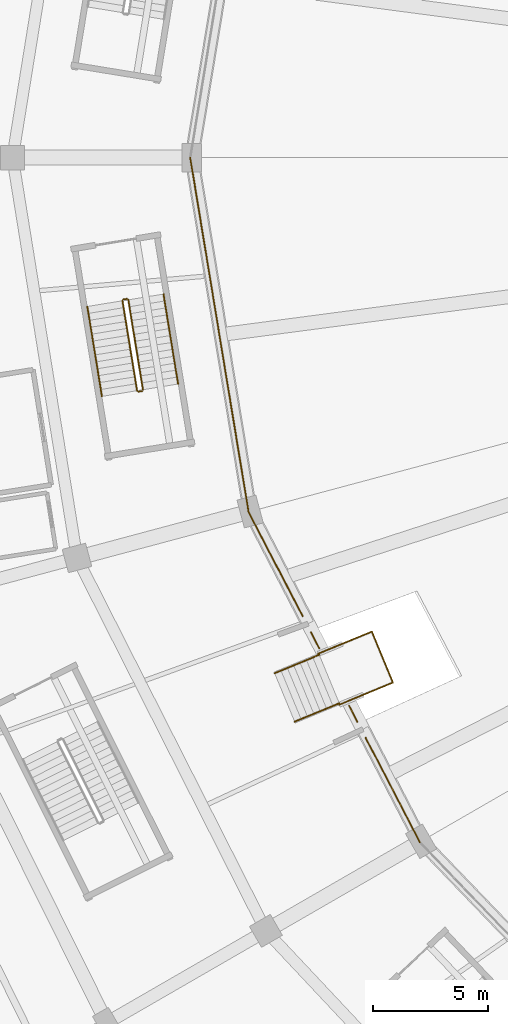
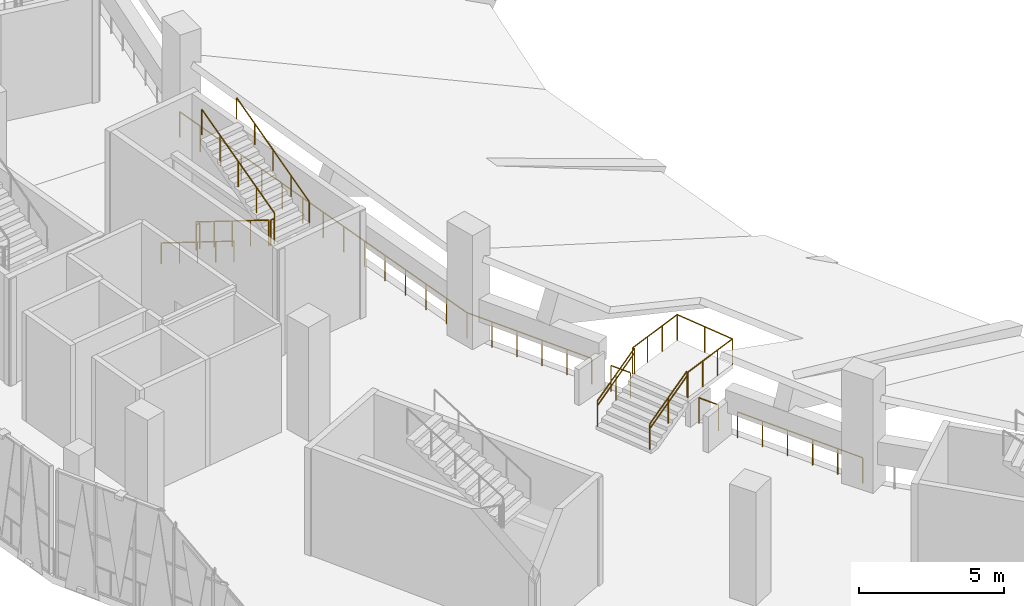
# One storey, part 138 of 183: 18 railings.
"""IFC4 building model written with IfcOpenShell, lengths in metres."""

from ifc_helpers import new_model, si_unit, direction, frame, origin, origin_2d, place, context, subcontext, project, spatial, circle, extrude, material, type_object, element, save


model = new_model("IFC4")

# Units and contexts
model_context = context("Model", 3, precision=1e-05, world=origin(), true_north=direction((0.0, 1.0)))
body_context = subcontext(model_context, "Body", "Model", "MODEL_VIEW")
ifc_project = project(units=[si_unit("LENGTHUNIT", "METRE"), si_unit("AREAUNIT", "SQUARE_METRE"), si_unit("VOLUMEUNIT", "CUBIC_METRE"), si_unit("PLANEANGLEUNIT", "RADIAN"), si_unit("MASSUNIT", "GRAM", prefix="KILO")], contexts=[model_context])

# Site, building, storey
site_placement = place(None, origin())
site = spatial("IfcSite", under=ifc_project, at=site_placement, CompositionType="ELEMENT")
building_placement = place(site_placement, origin())
building = spatial("IfcBuilding", under=site, at=building_placement, Name="Zevraka Park Crest Stadium", CompositionType="ELEMENT")
storey_placement = place(building_placement, frame((0.0, 0.0, 5.39990234375)))
storey = spatial("IfcBuildingStorey", under=building, at=storey_placement, Name="L01", CompositionType="ELEMENT", Elevation=5.39990234375)

# Railings
ifc_material_1 = material(Name="Galvanised and bronze-finished steel balustrade", Category="steel")
railing_type_1 = type_object("IfcRailingType", Name="GR01", PredefinedType="GUARDRAIL", material=ifc_material_1)
railing_1_placement = place(storey_placement, frame((37.430908203125, 92.0029296875, 0.0)))
element("IfcRailing", 1, at=railing_1_placement, inside=storey, type_object=railing_type_1, Name="Deck Edge Protection Guardrail GR01 L01-100", PredefinedType="GUARDRAIL", context=body_context, shape_type="SweptSolid", body=[
    extrude(circle(Radius=0.02392578125, at=origin_2d()), frame((0.0, 0.0, 1.076171875), z_axis=(0.162523419979, -0.986704686296, 0.0), x_axis=(0.986704686296, 0.162523419979, 0.0)), (0.0, 0.0, 1.0), 15.622802734375),
    extrude(circle(Radius=0.02099609375, at=origin_2d()), origin(), (0.0, 0.0, 1.0), 1.052001953125),
    extrude(circle(Radius=0.02099609375, at=origin_2d()), frame((0.181396484375, -1.10107421875, 0.0)), (0.0, 0.0, 1.0), 1.052001953125),
    extrude(circle(Radius=0.02099609375, at=origin_2d()), frame((0.36279296875, -2.2021484375, 0.0)), (0.0, 0.0, 1.0), 1.052001953125),
    extrude(circle(Radius=0.02099609375, at=origin_2d()), frame((0.544189453125, -3.30322265625, 0.0)), (0.0, 0.0, 1.0), 1.052001953125),
    extrude(circle(Radius=0.02099609375, at=origin_2d()), frame((0.725341796875, -4.404296875, 0.0)), (0.0, 0.0, 1.0), 1.052001953125),
    extrude(circle(Radius=0.02099609375, at=origin_2d()), frame((0.90673828125, -5.50537109375, 0.0)), (0.0, 0.0, 1.0), 1.052001953125),
    extrude(circle(Radius=0.02099609375, at=origin_2d()), frame((1.088134765625, -6.6064453125, 0.0)), (0.0, 0.0, 1.0), 1.052001953125),
    extrude(circle(Radius=0.02099609375, at=origin_2d()), frame((1.26953125, -7.70751953125, 0.0)), (0.0, 0.0, 1.0), 1.052001953125),
    extrude(circle(Radius=0.02099609375, at=origin_2d()), frame((1.450927734375, -8.80859375, 0.0)), (0.0, 0.0, 1.0), 1.052001953125),
    extrude(circle(Radius=0.02099609375, at=origin_2d()), frame((1.63232421875, -9.90966796875, 0.0)), (0.0, 0.0, 1.0), 1.052001953125),
    extrude(circle(Radius=0.02099609375, at=origin_2d()), frame((1.813720703125, -11.0107421875, 0.0)), (0.0, 0.0, 1.0), 1.052001953125),
    extrude(circle(Radius=0.02099609375, at=origin_2d()), frame((1.994873046875, -12.11181640625, 0.0)), (0.0, 0.0, 1.0), 1.052001953125),
    extrude(circle(Radius=0.02099609375, at=origin_2d()), frame((2.17626953125, -13.212890625, 0.0)), (0.0, 0.0, 1.0), 1.052001953125),
    extrude(circle(Radius=0.02099609375, at=origin_2d()), frame((2.357666015625, -14.31396484375, 0.0)), (0.0, 0.0, 1.0), 1.052001953125),
    extrude(circle(Radius=0.02099609375, at=origin_2d()), frame((2.5390625, -15.4150390625, 0.0)), (0.0, 0.0, 1.0), 1.052001953125),
])
railing_2_placement = place(storey_placement, frame((39.969970703125, 76.587890625, 0.0)))
element("IfcRailing", 2, at=railing_2_placement, inside=storey, type_object=railing_type_1, Name="Deck Edge Protection Guardrail GR01 L01-101", PredefinedType="GUARDRAIL", context=body_context, shape_type="SweptSolid", body=[
    extrude(circle(Radius=0.02392578125, at=origin_2d()), frame((0.0, 0.0, 1.076171875), z_axis=(0.459846182359, -0.887998585905, 0.0), x_axis=(0.887998585905, 0.459846182359, 0.0)), (0.0, 0.0, 1.0), 5.11474609375),
    extrude(circle(Radius=0.02099609375, at=origin_2d()), origin(), (0.0, 0.0, 1.0), 1.052001953125),
    extrude(circle(Radius=0.02099609375, at=origin_2d()), frame((0.470458984375, -0.908447265625, 0.0)), (0.0, 0.0, 1.0), 1.052001953125),
    extrude(circle(Radius=0.02099609375, at=origin_2d()), frame((0.94091796875, -1.81689453125, 0.0)), (0.0, 0.0, 1.0), 1.052001953125),
    extrude(circle(Radius=0.02099609375, at=origin_2d()), frame((1.4111328125, -2.72509765625, 0.0)), (0.0, 0.0, 1.0), 1.052001953125),
    extrude(circle(Radius=0.02099609375, at=origin_2d()), frame((1.881591796875, -3.633544921875, 0.0)), (0.0, 0.0, 1.0), 1.052001953125),
    extrude(circle(Radius=0.02099609375, at=origin_2d()), frame((2.35205078125, -4.5419921875, 0.0)), (0.0, 0.0, 1.0), 1.052001953125),
])
railing_3_placement = place(storey_placement, frame((42.68408203125, 71.347900390625, 0.0)))
element("IfcRailing", 3, at=railing_3_placement, inside=storey, type_object=railing_type_1, Name="Deck Edge Protection Guardrail GR01 L01-102", PredefinedType="GUARDRAIL", context=body_context, shape_type="SweptSolid", body=[
    extrude(circle(Radius=0.02392578125, at=origin_2d()), frame((0.0, 0.0, 1.076171875), z_axis=(0.460380253087, -0.88772181598, 0.0), x_axis=(0.88772181598, 0.460380253087, 0.0)), (0.0, 0.0, 1.0), 0.790771484375),
    extrude(circle(Radius=0.02099609375, at=origin_2d()), origin(), (0.0, 0.0, 1.0), 1.052001953125),
    extrude(circle(Radius=0.02099609375, at=origin_2d()), frame((0.364013671875, -0.701904296875, 0.0)), (0.0, 0.0, 1.0), 1.052001953125),
])
railing_4_placement = place(storey_placement, frame((44.342041015625, 68.15087890625, 0.0)))
element("IfcRailing", 4, at=railing_4_placement, inside=storey, type_object=railing_type_1, Name="Deck Edge Protection Guardrail GR01 L01-103", PredefinedType="GUARDRAIL", context=body_context, shape_type="SweptSolid", body=[
    extrude(circle(Radius=0.02392578125, at=origin_2d()), frame((0.0, 0.0, 1.076171875), z_axis=(0.46081061424, -0.887498494536, 0.0), x_axis=(0.887498494536, 0.46081061424, 0.0)), (0.0, 0.0, 1.0), 0.794189453125),
    extrude(circle(Radius=0.02099609375, at=origin_2d()), origin(), (0.0, 0.0, 1.0), 1.052001953125),
    extrude(circle(Radius=0.02099609375, at=origin_2d()), frame((0.365966796875, -0.704833984375, 0.0)), (0.0, 0.0, 1.0), 1.052001953125),
])
railing_5_placement = place(storey_placement, frame((45.06689453125, 66.7529296875, 0.0)))
element("IfcRailing", 5, at=railing_5_placement, inside=storey, type_object=railing_type_1, Name="Deck Edge Protection Guardrail GR01 L01-104", PredefinedType="GUARDRAIL", context=body_context, shape_type="SweptSolid", body=[
    extrude(circle(Radius=0.02392578125, at=origin_2d()), frame((0.0, 0.0, 1.076171875), z_axis=(0.460815991799, -0.887495702357, 0.0), x_axis=(0.887495702357, 0.460815991799, 0.0)), (0.0, 0.0, 1.0), 5.1279296875),
    extrude(circle(Radius=0.02099609375, at=origin_2d()), origin(), (0.0, 0.0, 1.0), 1.052001953125),
    extrude(circle(Radius=0.02099609375, at=origin_2d()), frame((0.47265625, -0.91015625, 0.0)), (0.0, 0.0, 1.0), 1.052001953125),
    extrude(circle(Radius=0.02099609375, at=origin_2d()), frame((0.9453125, -1.8203125, 0.0)), (0.0, 0.0, 1.0), 1.052001953125),
    extrude(circle(Radius=0.02099609375, at=origin_2d()), frame((1.417724609375, -2.730712890625, 0.0)), (0.0, 0.0, 1.0), 1.052001953125),
    extrude(circle(Radius=0.02099609375, at=origin_2d()), frame((1.890380859375, -3.640869140625, 0.0)), (0.0, 0.0, 1.0), 1.052001953125),
    extrude(circle(Radius=0.02099609375, at=origin_2d()), frame((2.363037109375, -4.551025390625, 0.0)), (0.0, 0.0, 1.0), 1.052001953125),
])
ifc_material_2 = material(Name="Powder-coated tubular steel stairwell guard", Category="steel")
railing_type_2 = type_object("IfcRailingType", Name="GR03", PredefinedType="GUARDRAIL", material=ifc_material_2)
railing_6_placement = place(storey_placement, frame((34.48193359375, 85.77294921875, 0.171630859375)))
element("IfcRailing", 6, at=railing_6_placement, inside=storey, type_object=railing_type_2, Name="L01 ST39 stair guard 1", PredefinedType="GUARDRAIL", context=body_context, shape_type="SweptSolid", body=[
    extrude(circle(Radius=0.02392578125, at=origin_2d()), frame((0.0, 0.0, 1.076171875), z_axis=(0.140099761866, -0.860405778907, 0.489973420043), x_axis=(0.987001137569, 0.160713267768, 0.0)), (0.0, 0.0, 1.0), 4.54833984375),
    extrude(circle(Radius=0.02099609375, at=origin_2d()), origin(), (0.0, 0.0, 1.0), 1.052001953125),
    extrude(circle(Radius=0.02099609375, at=origin_2d()), frame((0.1591796875, -0.978271484375, 0.55712890625)), (0.0, 0.0, 1.0), 1.052001953125),
    extrude(circle(Radius=0.02099609375, at=origin_2d()), frame((0.318603515625, -1.95654296875, 1.1142578125)), (0.0, 0.0, 1.0), 1.052001953125),
    extrude(circle(Radius=0.02099609375, at=origin_2d()), frame((0.47802734375, -2.93505859375, 1.67138671875)), (0.0, 0.0, 1.0), 1.052001953125),
    extrude(circle(Radius=0.02099609375, at=origin_2d()), frame((0.63720703125, -3.913330078125, 2.228515625)), (0.0, 0.0, 1.0), 1.052001953125),
])
railing_7_placement = place(storey_placement, frame((35.176513671875, 81.818115234375, 2.400146484375)))
element("IfcRailing", 7, at=railing_7_placement, inside=storey, type_object=railing_type_2, Name="L01 ST39 stair guard 2", PredefinedType="GUARDRAIL", context=body_context, shape_type="SweptSolid", body=[
    extrude(circle(Radius=0.02392578125, at=origin_2d()), frame((0.0, 0.0, 1.076171875), z_axis=(0.986843627435, 0.161677626751, 0.0), x_axis=(-0.161677626751, 0.986843627435, 0.0)), (0.0, 0.0, 1.0), 0.16015625),
    extrude(circle(Radius=0.02099609375, at=origin_2d()), origin(), (0.0, 0.0, 1.0), 1.052001953125),
    extrude(circle(Radius=0.02099609375, at=origin_2d()), frame((0.157958984375, 0.02587890625, 0.0)), (0.0, 0.0, 1.0), 1.052001953125),
])
railing_8_placement = place(storey_placement, frame((35.375732421875, 81.9013671875, 2.571533203125)))
element("IfcRailing", 8, at=railing_8_placement, inside=storey, type_object=railing_type_2, Name="L01 ST39 stair guard 3", PredefinedType="GUARDRAIL", context=body_context, shape_type="SweptSolid", body=[
    extrude(circle(Radius=0.02392578125, at=origin_2d()), frame((0.0, 0.0, 1.076171875), z_axis=(-0.140099761866, 0.860405778907, 0.489973420043), x_axis=(-0.987001137569, -0.160713267768, 0.0)), (0.0, 0.0, 1.0), 4.54833984375),
    extrude(circle(Radius=0.02099609375, at=origin_2d()), origin(), (0.0, 0.0, 1.0), 1.052001953125),
    extrude(circle(Radius=0.02099609375, at=origin_2d()), frame((-0.1591796875, 0.978271484375, 0.55712890625)), (0.0, 0.0, 1.0), 1.052001953125),
    extrude(circle(Radius=0.02099609375, at=origin_2d()), frame((-0.318603515625, 1.95654296875, 1.1142578125)), (0.0, 0.0, 1.0), 1.052001953125),
    extrude(circle(Radius=0.02099609375, at=origin_2d()), frame((-0.47802734375, 2.93505859375, 1.67138671875)), (0.0, 0.0, 1.0), 1.052001953125),
    extrude(circle(Radius=0.02099609375, at=origin_2d()), frame((-0.63720703125, 3.913330078125, 2.228515625)), (0.0, 0.0, 1.0), 1.052001953125),
])
railing_9_placement = place(storey_placement, frame((34.523193359375, 85.830322265625, 0.0)))
element("IfcRailing", 9, at=railing_9_placement, inside=storey, type_object=railing_type_2, Name="L01 ST39 stair guard 4", PredefinedType="GUARDRAIL", context=body_context, shape_type="SweptSolid", body=[
    extrude(circle(Radius=0.02392578125, at=origin_2d()), frame((0.0, 0.0, 1.076171875), z_axis=(0.987085924886, 0.160191687964, 0.0), x_axis=(-0.160191687964, 0.987085924886, 0.0)), (0.0, 0.0, 1.0), 0.159912109375),
    extrude(circle(Radius=0.02099609375, at=origin_2d()), origin(), (0.0, 0.0, 1.0), 1.052001953125),
    extrude(circle(Radius=0.02099609375, at=origin_2d()), frame((0.157958984375, 0.025634765625, 0.0)), (0.0, 0.0, 1.0), 1.052001953125),
])
railing_10_placement = place(storey_placement, frame((41.97900390625, 67.4541015625, 0.150146484375)))
element("IfcRailing", 10, at=railing_10_placement, inside=storey, type_object=railing_type_2, Name="Vomitory Flight Guard VS-05-1", PredefinedType="GUARDRAIL", context=body_context, shape_type="SweptSolid", body=[
    extrude(circle(Radius=0.02392578125, at=origin_2d()), frame((0.0, 0.0, 1.076171875), z_axis=(0.826386606837, 0.342057079019, 0.447305411025), x_axis=(-0.382451072807, 0.923975744762, 0.0)), (0.0, 0.0, 1.0), 2.347412109375),
    extrude(circle(Radius=0.02099609375, at=origin_2d()), origin(), (0.0, 0.0, 1.0), 1.052001953125),
    extrude(circle(Radius=0.02099609375, at=origin_2d()), frame((0.969970703125, 0.4013671875, 0.52490234375)), (0.0, 0.0, 1.0), 1.052001953125),
    extrude(circle(Radius=0.02099609375, at=origin_2d()), frame((1.93994140625, 0.802978515625, 1.050048828125)), (0.0, 0.0, 1.0), 1.052001953125),
])
railing_11_placement = place(storey_placement, frame((41.10693359375, 69.56005859375, 0.150146484375)))
element("IfcRailing", 11, at=railing_11_placement, inside=storey, type_object=railing_type_2, Name="Vomitory Flight Guard VS-05-2", PredefinedType="GUARDRAIL", context=body_context, shape_type="SweptSolid", body=[
    extrude(circle(Radius=0.02392578125, at=origin_2d()), frame((0.0, 0.0, 1.076171875), z_axis=(0.826301957019, 0.342394909332, 0.447203311582), x_axis=(-0.382806945527, 0.923828362011, 0.0)), (0.0, 0.0, 1.0), 2.34814453125),
    extrude(circle(Radius=0.02099609375, at=origin_2d()), origin(), (0.0, 0.0, 1.0), 1.052001953125),
    extrude(circle(Radius=0.02099609375, at=origin_2d()), frame((0.97021484375, 0.40185546875, 0.52490234375)), (0.0, 0.0, 1.0), 1.052001953125),
    extrude(circle(Radius=0.02099609375, at=origin_2d()), frame((1.940185546875, 0.803955078125, 1.050048828125)), (0.0, 0.0, 1.0), 1.052001953125),
])
railing_12_placement = place(storey_placement, frame((43.9189453125, 68.19189453125, 1.2001953125)))
element("IfcRailing", 12, at=railing_12_placement, inside=storey, type_object=railing_type_2, Name="Vomitory Landing Guard VS-05-1", PredefinedType="GUARDRAIL", context=body_context, shape_type="SweptSolid", body=[
    extrude(circle(Radius=0.02392578125, at=origin_2d()), frame((0.0, 0.0, 1.076171875), z_axis=(0.923784652769, 0.382912412057, 0.0), x_axis=(-0.382912412057, 0.923784652769, 0.0)), (0.0, 0.0, 1.0), 2.525390625),
    extrude(circle(Radius=0.02099609375, at=origin_2d()), origin(), (0.0, 0.0, 1.0), 1.052001953125),
    extrude(circle(Radius=0.02099609375, at=origin_2d()), frame((0.777587890625, 0.322265625, 0.0)), (0.0, 0.0, 1.0), 1.052001953125),
    extrude(circle(Radius=0.02099609375, at=origin_2d()), frame((1.555419921875, 0.644775390625, 0.0)), (0.0, 0.0, 1.0), 1.052001953125),
    extrude(circle(Radius=0.02099609375, at=origin_2d()), frame((2.3330078125, 0.967041015625, 0.0)), (0.0, 0.0, 1.0), 1.052001953125),
])
railing_13_placement = place(storey_placement, frame((46.251953125, 69.158935546875, 1.2001953125)))
element("IfcRailing", 13, at=railing_13_placement, inside=storey, type_object=railing_type_2, Name="Vomitory Landing Guard VS-05-2", PredefinedType="GUARDRAIL", context=body_context, shape_type="SweptSolid", body=[
    extrude(circle(Radius=0.02392578125, at=origin_2d()), frame((0.0, 0.0, 1.076171875), z_axis=(-0.382555476978, 0.923932522988, 0.0), x_axis=(-0.923932522988, -0.382555476978, 0.0)), (0.0, 0.0, 1.0), 2.399658203125),
    extrude(circle(Radius=0.02099609375, at=origin_2d()), origin(), (0.0, 0.0, 1.0), 1.052001953125),
    extrude(circle(Radius=0.02099609375, at=origin_2d()), frame((-0.458984375, 1.1083984375, 0.0)), (0.0, 0.0, 1.0), 1.052001953125),
    extrude(circle(Radius=0.02099609375, at=origin_2d()), frame((-0.91796875, 2.217041015625, 0.0)), (0.0, 0.0, 1.0), 1.052001953125),
])
railing_14_placement = place(storey_placement, frame((45.333984375, 71.3759765625, 1.2001953125)))
element("IfcRailing", 14, at=railing_14_placement, inside=storey, type_object=railing_type_2, Name="Vomitory Landing Guard VS-05-3", PredefinedType="GUARDRAIL", context=body_context, shape_type="SweptSolid", body=[
    extrude(circle(Radius=0.02392578125, at=origin_2d()), frame((0.0, 0.0, 1.076171875), z_axis=(-0.923921394748, -0.382582352346, 0.0), x_axis=(0.382582352346, -0.923921394748, 0.0)), (0.0, 0.0, 1.0), 2.525146484375),
    extrude(circle(Radius=0.02099609375, at=origin_2d()), origin(), (0.0, 0.0, 1.0), 1.052001953125),
    extrude(circle(Radius=0.02099609375, at=origin_2d()), frame((-0.777587890625, -0.322021484375, 0.0)), (0.0, 0.0, 1.0), 1.052001953125),
    extrude(circle(Radius=0.02099609375, at=origin_2d()), frame((-1.555419921875, -0.64404296875, 0.0)), (0.0, 0.0, 1.0), 1.052001953125),
    extrude(circle(Radius=0.02099609375, at=origin_2d()), frame((-2.3330078125, -0.966064453125, 0.0)), (0.0, 0.0, 1.0), 1.052001953125),
])
ifc_material_3 = material(Name="Brushed stainless steel continuous handrail", Category="steel")
railing_type_3 = type_object("IfcRailingType", Name="HR01", PredefinedType="HANDRAIL", material=ifc_material_3)
railing_15_placement = place(storey_placement, frame((32.9521484375, 85.52392578125, 0.171630859375)))
element("IfcRailing", 15, at=railing_15_placement, inside=storey, type_object=railing_type_3, Name="L01 ST39 stair handrail 1", PredefinedType="HANDRAIL", context=body_context, shape_type="SweptSolid", body=[
    extrude(circle(Radius=0.02392578125, at=origin_2d()), frame((0.0, 0.0, 0.8759765625), z_axis=(0.140093291616, -0.860419718238, 0.489950791521), x_axis=(0.987002727855, 0.160703500917, 0.0)), (0.0, 0.0, 1.0), 4.54833984375),
    extrude(circle(Radius=0.02099609375, at=origin_2d()), origin(), (0.0, 0.0, 1.0), 0.851806640625),
    extrude(circle(Radius=0.02099609375, at=origin_2d()), frame((0.1591796875, -0.978515625, 0.55712890625)), (0.0, 0.0, 1.0), 0.851806640625),
    extrude(circle(Radius=0.02099609375, at=origin_2d()), frame((0.318603515625, -1.956787109375, 1.1142578125)), (0.0, 0.0, 1.0), 0.851806640625),
    extrude(circle(Radius=0.02099609375, at=origin_2d()), frame((0.47802734375, -2.93505859375, 1.67138671875)), (0.0, 0.0, 1.0), 0.851806640625),
    extrude(circle(Radius=0.02099609375, at=origin_2d()), frame((0.63720703125, -3.91357421875, 2.228515625)), (0.0, 0.0, 1.0), 0.851806640625),
])
railing_16_placement = place(storey_placement, frame((36.905517578125, 82.150390625, 2.571533203125)))
element("IfcRailing", 16, at=railing_16_placement, inside=storey, type_object=railing_type_3, Name="L01 ST39 stair handrail 2", PredefinedType="HANDRAIL", context=body_context, shape_type="SweptSolid", body=[
    extrude(circle(Radius=0.02392578125, at=origin_2d()), frame((0.0, 0.0, 0.8759765625), z_axis=(-0.140093291616, 0.860419718238, 0.489950791521), x_axis=(-0.987002727855, -0.160703500917, 0.0)), (0.0, 0.0, 1.0), 4.54833984375),
    extrude(circle(Radius=0.02099609375, at=origin_2d()), origin(), (0.0, 0.0, 1.0), 0.851806640625),
    extrude(circle(Radius=0.02099609375, at=origin_2d()), frame((-0.1591796875, 0.978515625, 0.55712890625)), (0.0, 0.0, 1.0), 0.851806640625),
    extrude(circle(Radius=0.02099609375, at=origin_2d()), frame((-0.318603515625, 1.956787109375, 1.1142578125)), (0.0, 0.0, 1.0), 0.851806640625),
    extrude(circle(Radius=0.02099609375, at=origin_2d()), frame((-0.47802734375, 2.93505859375, 1.67138671875)), (0.0, 0.0, 1.0), 0.851806640625),
    extrude(circle(Radius=0.02099609375, at=origin_2d()), frame((-0.63720703125, 3.91357421875, 2.228515625)), (0.0, 0.0, 1.0), 0.851806640625),
])
railing_17_placement = place(storey_placement, frame((41.97900390625, 67.4541015625, 0.150146484375)))
element("IfcRailing", 17, at=railing_17_placement, inside=storey, type_object=railing_type_3, Name="Vomitory Handrail VS-05-1", PredefinedType="HANDRAIL", context=body_context, shape_type="SweptSolid", body=[
    extrude(circle(Radius=0.02392578125, at=origin_2d()), frame((0.0, 0.0, 0.8759765625), z_axis=(0.826386606837, 0.342057079019, 0.447305411025), x_axis=(-0.382451072807, 0.923975744762, 0.0)), (0.0, 0.0, 1.0), 2.347412109375),
    extrude(circle(Radius=0.02099609375, at=origin_2d()), origin(), (0.0, 0.0, 1.0), 0.851806640625),
    extrude(circle(Radius=0.02099609375, at=origin_2d()), frame((0.969970703125, 0.4013671875, 0.52490234375)), (0.0, 0.0, 1.0), 0.851806640625),
    extrude(circle(Radius=0.02099609375, at=origin_2d()), frame((1.93994140625, 0.802978515625, 1.050048828125)), (0.0, 0.0, 1.0), 0.851806640625),
])
railing_18_placement = place(storey_placement, frame((41.10693359375, 69.56005859375, 0.150146484375)))
element("IfcRailing", 18, at=railing_18_placement, inside=storey, type_object=railing_type_3, Name="Vomitory Handrail VS-05-2", PredefinedType="HANDRAIL", context=body_context, shape_type="SweptSolid", body=[
    extrude(circle(Radius=0.02392578125, at=origin_2d()), frame((0.0, 0.0, 0.8759765625), z_axis=(0.826301957019, 0.342394909332, 0.447203311582), x_axis=(-0.382806945527, 0.923828362011, 0.0)), (0.0, 0.0, 1.0), 2.34814453125),
    extrude(circle(Radius=0.02099609375, at=origin_2d()), origin(), (0.0, 0.0, 1.0), 0.851806640625),
    extrude(circle(Radius=0.02099609375, at=origin_2d()), frame((0.97021484375, 0.40185546875, 0.52490234375)), (0.0, 0.0, 1.0), 0.851806640625),
    extrude(circle(Radius=0.02099609375, at=origin_2d()), frame((1.940185546875, 0.803955078125, 1.050048828125)), (0.0, 0.0, 1.0), 0.851806640625),
])

save(model, "model.ifc")
